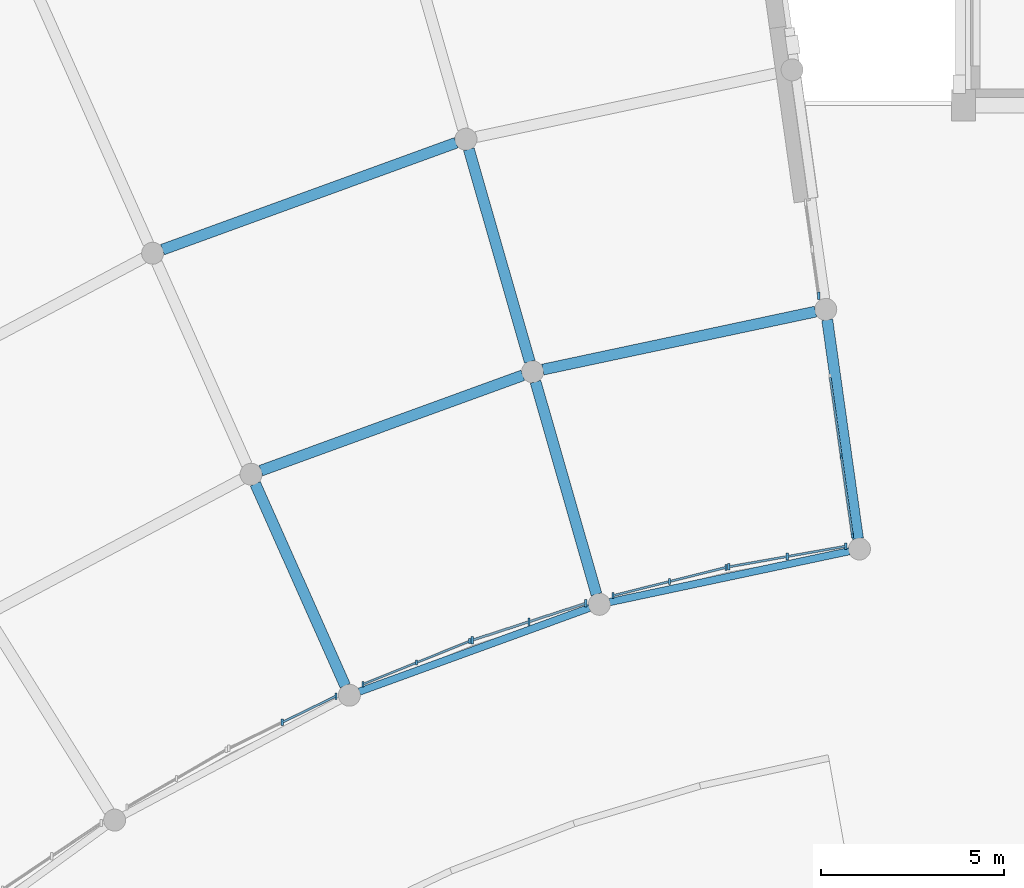
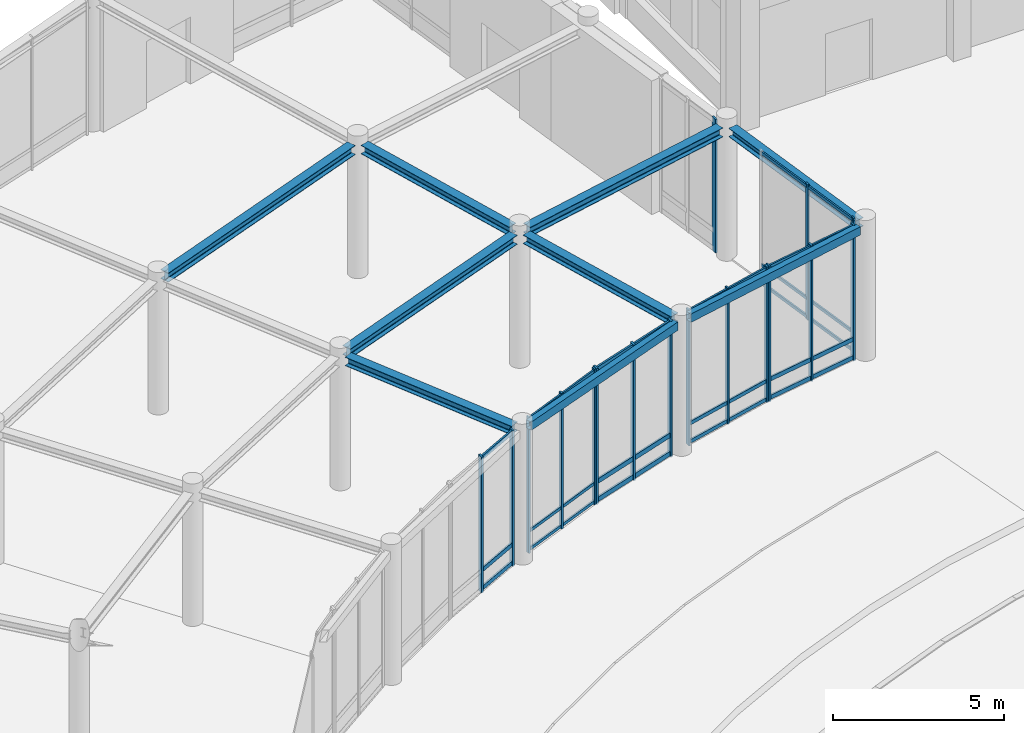
# One storey, part 33 of 64: 50 members, 9 beams, 7 elements without a shape of their own.
"""IFC4 building model written with IfcOpenShell, lengths in metres."""

from ifc_helpers import new_model, si_unit, direction, frame, origin, origin_2d, place, context, subcontext, project, spatial, rectangle, hollow_rectangle, i_section, extrude, material, material_profile, profile_set, type_object, element, aggregate, save


model = new_model("IFC4")

# Units and contexts
model_context = context("Model", 3, precision=1e-05, world=origin(), true_north=direction((0.0, 1.0)))
body_context = subcontext(model_context, "Body", "Model", "MODEL_VIEW")
ifc_project = project(units=[si_unit("LENGTHUNIT", "METRE"), si_unit("AREAUNIT", "SQUARE_METRE"), si_unit("VOLUMEUNIT", "CUBIC_METRE"), si_unit("PLANEANGLEUNIT", "RADIAN"), si_unit("MASSUNIT", "GRAM", prefix="KILO")], contexts=[model_context])

# Site, building, storey
site_placement = place(None, origin())
site = spatial("IfcSite", under=ifc_project, at=site_placement, CompositionType="ELEMENT")
building_placement = place(site_placement, origin())
building = spatial("IfcBuilding", under=site, at=building_placement, Name="Clarverna Civic Hall", CompositionType="ELEMENT")
storey_placement = place(building_placement, origin())
storey = spatial("IfcBuildingStorey", under=building, at=storey_placement, Name="L00", CompositionType="ELEMENT", Elevation=0.0)

# Beams
ifc_material_1 = material(Name="Steel S355", Category="steel")
ifc_material_profile_1 = material_profile(ifc_material_1, hollow_rectangle(XDim=0.199951171875, YDim=0.300048828125, WallThickness=0.010009765625, at=origin_2d()), Name="RHS 300x200x10.0")
ifc_profile_set_1 = profile_set([ifc_material_profile_1], Name="Steel S355")
beam_type_1 = type_object("IfcBeamType", Name="B-ST15", PredefinedType="SPANDREL", material=ifc_profile_set_1)
beam_1_placement = place(storey_placement, frame((144.484130859375, 59.4345703125, 4.7099609375), z_axis=(-0.978151145736, -0.207895012193, 0.0), x_axis=(0.207895012193, -0.978151145736, 0.0)))
element("IfcBeam", 1, at=beam_1_placement, inside=storey, type_object=beam_type_1, Name="B-ST15-001", PredefinedType="SPANDREL", context=body_context, shape_type="SweptSolid", body=[
    extrude(hollow_rectangle(XDim=0.199951171875, YDim=0.300048828125, WallThickness=0.010009765625, at=origin_2d()), origin(), (0.0, 0.0, 1.0), 6.684326171875),
])
beam_2_placement = place(storey_placement, frame((137.399169921875, 57.88818359375, 4.7099609375), z_axis=(-0.939692082349, -0.342021622666, 0.0), x_axis=(0.342021622666, -0.939692082349, 0.0)))
element("IfcBeam", 2, at=beam_2_placement, inside=storey, type_object=beam_type_1, Name="B-ST15-002", PredefinedType="SPANDREL", context=body_context, shape_type="SweptSolid", body=[
    extrude(hollow_rectangle(XDim=0.199951171875, YDim=0.300048828125, WallThickness=0.010009765625, at=origin_2d()), origin(), (0.0, 0.0, 1.0), 6.684814453125),
])
ifc_material_profile_2 = material_profile(ifc_material_1, i_section(OverallWidth=0.300048828125, OverallDepth=0.330078125, WebThickness=0.009521484375, FlangeThickness=0.0166015625, FilletRadius=0.027099609375, at=origin_2d()), Name="HEA 340")
ifc_profile_set_2 = profile_set([ifc_material_profile_2], Name="Steel S355")
beam_type_2 = type_object("IfcBeamType", Name="B-ST8", PredefinedType="BEAM", material=ifc_profile_set_2)
for number, where, z_axis, x_axis, name in (
    (3, (143.565673828125, 65.970458984375, 4.614990234375), (-0.978146366806, -0.207917495908, 0.0), (0.207917495908, -0.978146366806, 0.0), "B-ST8-029"),
    (4, (135.579833984375, 64.232421875, 4.614990234375), (-0.939697786127, -0.342005951334, 0.0), (0.342005951334, -0.939697786127, 0.0), "B-ST8-030"),
):
    element("IfcBeam", number, at=place(storey_placement, frame(where, z_axis=z_axis, x_axis=x_axis)), inside=storey, type_object=beam_type_2, Name=name, PredefinedType="BEAM", context=body_context, shape_type="SweptSolid", body=[
        extrude(i_section(OverallWidth=0.300048828125, OverallDepth=0.330078125, WebThickness=0.009521484375, FlangeThickness=0.0166015625, FilletRadius=0.027099609375, at=origin_2d()), origin(), (0.0, 0.0, 1.0), 7.60546875),
    ])
beam_3_placement = place(storey_placement, frame((133.760498046875, 70.576904296875, 4.614990234375), z_axis=(-0.939687201832, -0.342035031413, 0.0), x_axis=(0.342035031413, -0.939687201832, 0.0)))
element("IfcBeam", 5, at=beam_3_placement, inside=storey, type_object=beam_type_2, Name="B-ST8-039", PredefinedType="BEAM", context=body_context, shape_type="SweptSolid", body=[
    extrude(i_section(OverallWidth=0.300048828125, OverallDepth=0.330078125, WebThickness=0.009521484375, FlangeThickness=0.0166015625, FilletRadius=0.027099609375, at=origin_2d()), origin(), (0.0, 0.0, 1.0), 8.526123046875),
])
ifc_material_profile_3 = material_profile(ifc_material_1, i_section(OverallWidth=0.300048828125, OverallDepth=0.31005859375, WebThickness=0.009033203125, FlangeThickness=0.015380859375, FilletRadius=0.027099609375, at=origin_2d()), Name="HEA 320")
ifc_profile_set_3 = profile_set([ifc_material_profile_3], Name="Steel S355")
beam_type_3 = type_object("IfcBeamType", Name="B-ST9", PredefinedType="BEAM", material=ifc_profile_set_3)
for number, where, z_axis, x_axis, name in (
    (6, (144.723388671875, 59.776123046875, 4.625), (-0.139153715024, 0.990270793064, 0.0), (-0.990270793064, -0.139153715024, 0.0), "B-ST9-022"),
    (7, (137.58837890625, 58.259521484375, 4.625), (-0.275640762198, 0.961260719168, 0.0), (-0.961260719168, -0.275640762198, 0.0), "B-ST9-025"),
    (8, (135.76904296875, 64.60400390625, 4.625), (-0.275640762198, 0.961260719168, 0.0), (-0.961260719168, -0.275640762198, 0.0), "B-ST9-026"),
    (9, (130.73388671875, 55.764892578125, 4.625), (-0.406780744016, 0.913525821363, 0.0), (-0.913525821363, -0.406780744016, 0.0), "B-ST9-028"),
):
    element("IfcBeam", number, at=place(storey_placement, frame(where, z_axis=z_axis, x_axis=x_axis)), inside=storey, type_object=beam_type_3, Name=name, PredefinedType="BEAM", context=body_context, shape_type="SweptSolid", body=[
        extrude(i_section(OverallWidth=0.300048828125, OverallDepth=0.31005859375, WebThickness=0.009033203125, FlangeThickness=0.015380859375, FilletRadius=0.027099609375, at=origin_2d()), origin(), (0.0, 0.0, 1.0), 6.030029296875),
    ])

# Curtain wall, members
ifc_material_2 = material(Name="Anodised Bronze Architectural Aluminium", Category="aluminium")
curtain_wall_type = type_object("IfcCurtainWallType", Name="CW-03", PredefinedType="USERDEFINED", material=ifc_material_2)
curtain_wall_1_placement = place(storey_placement, origin())
curtain_wall_1 = element("IfcCurtainWall", 10, at=curtain_wall_1_placement, inside=storey, type_object=curtain_wall_type, Name="CW-03-008", ObjectType="UNITISED CURTAIN WALL", PredefinedType="USERDEFINED")
ifc_material_profile_4 = material_profile(ifc_material_2, rectangle(XDim=0.06005859375, YDim=0.179931640625, at=origin_2d()), Name="BRONZE 60x180")
ifc_profile_set_4 = profile_set([ifc_material_profile_4], Name="Anodised Bronze Architectural Aluminium")
member_type_1 = type_object("IfcMemberType", Name="CWM-01", PredefinedType="MULLION", material=ifc_profile_set_4)
member_1_placement = place(storey_placement, frame((144.390380859375, 59.5703125, 0.0), z_axis=(0.0, 0.0, 1.0), x_axis=(1.0, 0.0, 0.0)))
member_1 = element("IfcMember", 11, at=member_1_placement, type_object=member_type_1, Name="CWM-01-007", PredefinedType="MULLION", context=body_context, shape_type="SweptSolid", body=[
    extrude(rectangle(XDim=0.06005859375, YDim=0.179931640625, at=origin_2d()), origin(), (0.0, 0.0, 1.0), 4.860107421875),
])
member_2_placement = place(storey_placement, frame((142.793701171875, 59.288818359375, 0.0), z_axis=(0.0, 0.0, 1.0), x_axis=(1.0, 0.0, 0.0)))
member_2 = element("IfcMember", 12, at=member_2_placement, type_object=member_type_1, Name="CWM-01-008", PredefinedType="MULLION", context=body_context, shape_type="SweptSolid", body=[
    extrude(rectangle(XDim=0.06005859375, YDim=0.179931640625, at=origin_2d()), origin(), (0.0, 0.0, 1.0), 4.860107421875),
])
member_3_placement = place(storey_placement, frame((141.19677734375, 59.00732421875, 0.0), z_axis=(0.0, 0.0, 1.0), x_axis=(1.0, 0.0, 0.0)))
member_3 = element("IfcMember", 13, at=member_3_placement, type_object=member_type_1, Name="CWM-01-009", PredefinedType="MULLION", context=body_context, shape_type="SweptSolid", body=[
    extrude(rectangle(XDim=0.06005859375, YDim=0.179931640625, at=origin_2d()), origin(), (0.0, 0.0, 1.0), 4.860107421875),
])

curtain_wall_2_placement = place(storey_placement, origin())
curtain_wall_2 = element("IfcCurtainWall", 14, at=curtain_wall_2_placement, inside=storey, type_object=curtain_wall_type, Name="CW-03-012", ObjectType="UNITISED CURTAIN WALL", PredefinedType="USERDEFINED")
member_4_placement = place(storey_placement, frame((130.47998046875, 55.479736328125, 0.0), z_axis=(0.0, 0.0, 1.0), x_axis=(1.0, 0.0, 0.0)))
member_4 = element("IfcMember", 15, at=member_4_placement, type_object=member_type_1, Name="CWM-01-010", PredefinedType="MULLION", context=body_context, shape_type="SweptSolid", body=[
    extrude(rectangle(XDim=0.06005859375, YDim=0.179931640625, at=origin_2d()), origin(), (0.0, 0.0, 1.0), 4.860107421875),
])
member_5_placement = place(storey_placement, frame((129.017822265625, 54.7666015625, 0.0), z_axis=(0.0, 0.0, 1.0), x_axis=(1.0, 0.0, 0.0)))
member_5 = element("IfcMember", 16, at=member_5_placement, type_object=member_type_1, Name="CWM-01-011", PredefinedType="MULLION", context=body_context, shape_type="SweptSolid", body=[
    extrude(rectangle(XDim=0.06005859375, YDim=0.179931640625, at=origin_2d()), origin(), (0.0, 0.0, 1.0), 4.860107421875),
])

curtain_wall_3_placement = place(storey_placement, origin())
curtain_wall_3 = element("IfcCurtainWall", 17, at=curtain_wall_3_placement, inside=storey, type_object=curtain_wall_type, Name="CW-03-009", ObjectType="UNITISED CURTAIN WALL", PredefinedType="USERDEFINED")
ifc_material_profile_5 = material_profile(ifc_material_2, rectangle(XDim=0.06005859375, YDim=0.159912109375, at=origin_2d()), Name="BRONZE 60x160")
ifc_profile_set_5 = profile_set([ifc_material_profile_5], Name="Anodised Bronze Architectural Aluminium")
member_type_2 = type_object("IfcMemberType", Name="CWM-02", PredefinedType="MULLION", material=ifc_profile_set_5)
member_6_placement = place(storey_placement, frame((141.122802734375, 58.991455078125, 0.0), z_axis=(0.0, 0.0, 1.0), x_axis=(1.0, 0.0, 0.0)))
member_6 = element("IfcMember", 18, at=member_6_placement, type_object=member_type_2, Name="CWM-02-007", PredefinedType="MULLION", context=body_context, shape_type="SweptSolid", body=[
    extrude(rectangle(XDim=0.06005859375, YDim=0.159912109375, at=origin_2d()), origin(), (0.0, 0.0, 1.0), 4.860107421875),
])
member_7_placement = place(storey_placement, frame((139.580810546875, 58.607177734375, 0.0), z_axis=(0.0, 0.0, 1.0), x_axis=(1.0, 0.0, 0.0)))
member_7 = element("IfcMember", 19, at=member_7_placement, type_object=member_type_2, Name="CWM-02-008", PredefinedType="MULLION", context=body_context, shape_type="SweptSolid", body=[
    extrude(rectangle(XDim=0.06005859375, YDim=0.159912109375, at=origin_2d()), origin(), (0.0, 0.0, 1.0), 4.860107421875),
])
member_8_placement = place(storey_placement, frame((138.038818359375, 58.22265625, 0.0), z_axis=(0.0, 0.0, 1.0), x_axis=(1.0, 0.0, 0.0)))
member_8 = element("IfcMember", 20, at=member_8_placement, type_object=member_type_2, Name="CWM-02-009", PredefinedType="MULLION", context=body_context, shape_type="SweptSolid", body=[
    extrude(rectangle(XDim=0.06005859375, YDim=0.159912109375, at=origin_2d()), origin(), (0.0, 0.0, 1.0), 4.860107421875),
])

# Curtain wall, member
curtain_wall_4_placement = place(storey_placement, origin())
curtain_wall_4 = element("IfcCurtainWall", 21, at=curtain_wall_4_placement, inside=storey, type_object=curtain_wall_type, Name="CW-03-006", ObjectType="UNITISED CURTAIN WALL", PredefinedType="USERDEFINED")
ifc_material_profile_6 = material_profile(ifc_material_2, rectangle(XDim=0.06494140625, YDim=0.199951171875, at=origin_2d()), Name="BRONZE 65x200")
ifc_profile_set_6 = profile_set([ifc_material_profile_6], Name="Anodised Bronze Architectural Aluminium")
member_type_3 = type_object("IfcMemberType", Name="CWM-03", PredefinedType="MULLION", material=ifc_profile_set_6)
member_9_placement = place(storey_placement, frame((143.650634765625, 66.40234375, 0.0), z_axis=(0.0, 0.0, 1.0), x_axis=(1.0, 0.0, 0.0)))
member_9 = element("IfcMember", 22, at=member_9_placement, type_object=member_type_3, Name="CWM-03-006", PredefinedType="MULLION", context=body_context, shape_type="SweptSolid", body=[
    extrude(rectangle(XDim=0.06494140625, YDim=0.199951171875, at=origin_2d()), origin(), (0.0, 0.0, 1.0), 4.780029296875),
])
aggregate(curtain_wall_4, [member_9])

# Curtain wall, members
curtain_wall_5_placement = place(storey_placement, origin())
curtain_wall_5 = element("IfcCurtainWall", 23, at=curtain_wall_5_placement, inside=storey, type_object=curtain_wall_type, Name="CW-03-010", ObjectType="UNITISED CURTAIN WALL", PredefinedType="USERDEFINED")
member_10_placement = place(storey_placement, frame((137.29541015625, 58.01220703125, 0.0), z_axis=(0.0, 0.0, 1.0), x_axis=(1.0, 0.0, 0.0)))
member_10 = element("IfcMember", 24, at=member_10_placement, type_object=member_type_3, Name="CWM-03-007", PredefinedType="MULLION", context=body_context, shape_type="SweptSolid", body=[
    extrude(rectangle(XDim=0.06494140625, YDim=0.199951171875, at=origin_2d()), origin(), (0.0, 0.0, 1.0), 4.860107421875),
])
member_11_placement = place(storey_placement, frame((135.749267578125, 57.509765625, 0.0), z_axis=(0.0, 0.0, 1.0), x_axis=(1.0, 0.0, 0.0)))
member_11 = element("IfcMember", 25, at=member_11_placement, type_object=member_type_3, Name="CWM-03-008", PredefinedType="MULLION", context=body_context, shape_type="SweptSolid", body=[
    extrude(rectangle(XDim=0.06494140625, YDim=0.199951171875, at=origin_2d()), origin(), (0.0, 0.0, 1.0), 4.860107421875),
])
member_12_placement = place(storey_placement, frame((134.203125, 57.00732421875, 0.0), z_axis=(0.0, 0.0, 1.0), x_axis=(1.0, 0.0, 0.0)))
member_12 = element("IfcMember", 26, at=member_12_placement, type_object=member_type_3, Name="CWM-03-009", PredefinedType="MULLION", context=body_context, shape_type="SweptSolid", body=[
    extrude(rectangle(XDim=0.06494140625, YDim=0.199951171875, at=origin_2d()), origin(), (0.0, 0.0, 1.0), 4.860107421875),
])

curtain_wall_6_placement = place(storey_placement, origin())
curtain_wall_6 = element("IfcCurtainWall", 27, at=curtain_wall_6_placement, inside=storey, type_object=curtain_wall_type, Name="CW-03-007", ObjectType="UNITISED CURTAIN WALL", PredefinedType="USERDEFINED")
ifc_material_profile_7 = material_profile(ifc_material_2, rectangle(XDim=0.054931640625, YDim=0.139892578125, at=origin_2d()), Name="BRONZE 55x140")
ifc_profile_set_7 = profile_set([ifc_material_profile_7], Name="Anodised Bronze Architectural Aluminium")
member_type_4 = type_object("IfcMemberType", Name="CWM-04", PredefinedType="MULLION", material=ifc_profile_set_7)
member_13_placement = place(storey_placement, frame((144.26513671875, 62.03076171875, 0.0), z_axis=(0.0, 0.0, 1.0), x_axis=(1.0, 0.0, 0.0)))
member_13 = element("IfcMember", 28, at=member_13_placement, type_object=member_type_4, Name="CWM-04-005", PredefinedType="MULLION", context=body_context, shape_type="SweptSolid", body=[
    extrude(rectangle(XDim=0.054931640625, YDim=0.139892578125, at=origin_2d()), origin(), (0.0, 0.0, 1.0), 4.860107421875),
])
member_14_placement = place(storey_placement, frame((144.5693359375, 59.86669921875, 0.0), z_axis=(0.0, 0.0, 1.0), x_axis=(1.0, 0.0, 0.0)))
member_14 = element("IfcMember", 29, at=member_14_placement, type_object=member_type_4, Name="CWM-04-006", PredefinedType="MULLION", context=body_context, shape_type="SweptSolid", body=[
    extrude(rectangle(XDim=0.054931640625, YDim=0.139892578125, at=origin_2d()), origin(), (0.0, 0.0, 1.0), 4.860107421875),
])

curtain_wall_7_placement = place(storey_placement, origin())
curtain_wall_7 = element("IfcCurtainWall", 30, at=curtain_wall_7_placement, inside=storey, type_object=curtain_wall_type, Name="CW-03-011", ObjectType="UNITISED CURTAIN WALL", PredefinedType="USERDEFINED")
member_15_placement = place(storey_placement, frame((134.132080078125, 56.9814453125, 0.0), z_axis=(0.0, 0.0, 1.0), x_axis=(1.0, 0.0, 0.0)))
member_15 = element("IfcMember", 31, at=member_15_placement, type_object=member_type_4, Name="CWM-04-007", PredefinedType="MULLION", context=body_context, shape_type="SweptSolid", body=[
    extrude(rectangle(XDim=0.054931640625, YDim=0.139892578125, at=origin_2d()), origin(), (0.0, 0.0, 1.0), 4.860107421875),
])
member_16_placement = place(storey_placement, frame((132.67626953125, 56.393310546875, 0.0), z_axis=(0.0, 0.0, 1.0), x_axis=(1.0, 0.0, 0.0)))
member_16 = element("IfcMember", 32, at=member_16_placement, type_object=member_type_4, Name="CWM-04-008", PredefinedType="MULLION", context=body_context, shape_type="SweptSolid", body=[
    extrude(rectangle(XDim=0.054931640625, YDim=0.139892578125, at=origin_2d()), origin(), (0.0, 0.0, 1.0), 4.860107421875),
])
member_17_placement = place(storey_placement, frame((131.22021484375, 55.80517578125, 0.0), z_axis=(0.0, 0.0, 1.0), x_axis=(1.0, 0.0, 0.0)))
member_17 = element("IfcMember", 33, at=member_17_placement, type_object=member_type_4, Name="CWM-04-009", PredefinedType="MULLION", context=body_context, shape_type="SweptSolid", body=[
    extrude(rectangle(XDim=0.054931640625, YDim=0.139892578125, at=origin_2d()), origin(), (0.0, 0.0, 1.0), 4.860107421875),
])

# Member
ifc_material_profile_8 = material_profile(ifc_material_2, rectangle(XDim=0.06005859375, YDim=0.14990234375, at=origin_2d()), Name="BRONZE 60x150")
ifc_profile_set_8 = profile_set([ifc_material_profile_8], Name="Anodised Bronze Architectural Aluminium")
member_type_5 = type_object("IfcMemberType", Name="CWT-01", PredefinedType="USERDEFINED", material=ifc_profile_set_8)
member_18_placement = place(storey_placement, frame((144.375732421875, 59.56787109375, 0.094970703125), z_axis=(-0.984808257094, -0.173645318852, 0.0), x_axis=(0.173645318852, -0.984808257094, 0.0)))
member_18 = element("IfcMember", 34, at=member_18_placement, type_object=member_type_5, Name="CWT-01-013", ObjectType="TRANSOM", PredefinedType="USERDEFINED", context=body_context, shape_type="SweptSolid", body=[
    extrude(rectangle(XDim=0.06005859375, YDim=0.14990234375, at=origin_2d()), origin(), (0.0, 0.0, 1.0), 1.591552734375),
])

member_19_placement = place(storey_placement, frame((144.375732421875, 59.56787109375, 0.75), z_axis=(-0.984808257094, -0.173645318852, 0.0), x_axis=(0.173645318852, -0.984808257094, 0.0)))
member_19 = element("IfcMember", 35, at=member_19_placement, type_object=member_type_5, Name="CWT-01-014", ObjectType="TRANSOM", PredefinedType="USERDEFINED", context=body_context, shape_type="SweptSolid", body=[
    extrude(rectangle(XDim=0.06005859375, YDim=0.14990234375, at=origin_2d()), origin(), (0.0, 0.0, 1.0), 1.591552734375),
])

member_20_placement = place(storey_placement, frame((144.375732421875, 59.56787109375, 4.764892578125), z_axis=(-0.984808257094, -0.173645318852, 0.0), x_axis=(0.173645318852, -0.984808257094, 0.0)))
member_20 = element("IfcMember", 36, at=member_20_placement, type_object=member_type_5, Name="CWT-01-015", ObjectType="TRANSOM", PredefinedType="USERDEFINED", context=body_context, shape_type="SweptSolid", body=[
    extrude(rectangle(XDim=0.06005859375, YDim=0.14990234375, at=origin_2d()), origin(), (0.0, 0.0, 1.0), 1.591552734375),
])

member_21_placement = place(storey_placement, frame((142.77880859375, 59.2861328125, 0.094970703125), z_axis=(-0.984829859977, -0.173522756136, 0.0), x_axis=(0.173522756136, -0.984829859977, 0.0)))
member_21 = element("IfcMember", 37, at=member_21_placement, type_object=member_type_5, Name="CWT-01-016", ObjectType="TRANSOM", PredefinedType="USERDEFINED", context=body_context, shape_type="SweptSolid", body=[
    extrude(rectangle(XDim=0.06005859375, YDim=0.14990234375, at=origin_2d()), origin(), (0.0, 0.0, 1.0), 1.59130859375),
])

member_22_placement = place(storey_placement, frame((142.77880859375, 59.2861328125, 0.75), z_axis=(-0.984829859977, -0.173522756136, 0.0), x_axis=(0.173522756136, -0.984829859977, 0.0)))
member_22 = element("IfcMember", 38, at=member_22_placement, type_object=member_type_5, Name="CWT-01-017", ObjectType="TRANSOM", PredefinedType="USERDEFINED", context=body_context, shape_type="SweptSolid", body=[
    extrude(rectangle(XDim=0.06005859375, YDim=0.14990234375, at=origin_2d()), origin(), (0.0, 0.0, 1.0), 1.59130859375),
])

member_23_placement = place(storey_placement, frame((142.77880859375, 59.2861328125, 4.764892578125), z_axis=(-0.984829859977, -0.173522756136, 0.0), x_axis=(0.173522756136, -0.984829859977, 0.0)))
member_23 = element("IfcMember", 39, at=member_23_placement, type_object=member_type_5, Name="CWT-01-018", ObjectType="TRANSOM", PredefinedType="USERDEFINED", context=body_context, shape_type="SweptSolid", body=[
    extrude(rectangle(XDim=0.06005859375, YDim=0.14990234375, at=origin_2d()), origin(), (0.0, 0.0, 1.0), 1.59130859375),
])

aggregate(curtain_wall_1, [member_1, member_2, member_3, member_18, member_19, member_20, member_21, member_22, member_23])

member_24_placement = place(storey_placement, frame((130.466552734375, 55.47314453125, 0.094970703125), z_axis=(-0.898787548985, -0.438384468006, 0.0), x_axis=(0.438384468006, -0.898787548985, 0.0)))
member_24 = element("IfcMember", 40, at=member_24_placement, type_object=member_type_5, Name="CWT-01-019", ObjectType="TRANSOM", PredefinedType="USERDEFINED", context=body_context, shape_type="SweptSolid", body=[
    extrude(rectangle(XDim=0.06005859375, YDim=0.14990234375, at=origin_2d()), origin(), (0.0, 0.0, 1.0), 1.5966796875),
])

member_25_placement = place(storey_placement, frame((130.466552734375, 55.47314453125, 0.75), z_axis=(-0.898787548985, -0.438384468006, 0.0), x_axis=(0.438384468006, -0.898787548985, 0.0)))
member_25 = element("IfcMember", 41, at=member_25_placement, type_object=member_type_5, Name="CWT-01-020", ObjectType="TRANSOM", PredefinedType="USERDEFINED", context=body_context, shape_type="SweptSolid", body=[
    extrude(rectangle(XDim=0.06005859375, YDim=0.14990234375, at=origin_2d()), origin(), (0.0, 0.0, 1.0), 1.5966796875),
])

member_26_placement = place(storey_placement, frame((130.466552734375, 55.47314453125, 4.764892578125), z_axis=(-0.898787548985, -0.438384468006, 0.0), x_axis=(0.438384468006, -0.898787548985, 0.0)))
member_26 = element("IfcMember", 42, at=member_26_placement, type_object=member_type_5, Name="CWT-01-021", ObjectType="TRANSOM", PredefinedType="USERDEFINED", context=body_context, shape_type="SweptSolid", body=[
    extrude(rectangle(XDim=0.06005859375, YDim=0.14990234375, at=origin_2d()), origin(), (0.0, 0.0, 1.0), 1.5966796875),
])

aggregate(curtain_wall_2, [member_4, member_5, member_24, member_25, member_26])

ifc_material_profile_9 = material_profile(ifc_material_2, rectangle(XDim=0.06005859375, YDim=0.1298828125, at=origin_2d()), Name="BRONZE 60x130")
ifc_profile_set_9 = profile_set([ifc_material_profile_9], Name="Anodised Bronze Architectural Aluminium")
member_type_6 = type_object("IfcMemberType", Name="CWT-02", PredefinedType="USERDEFINED", material=ifc_profile_set_9)
member_27_placement = place(storey_placement, frame((141.108154296875, 58.98779296875, 0.094970703125), z_axis=(-0.970289708656, -0.241946029676, 0.0), x_axis=(0.241946029676, -0.970289708656, 0.0)))
member_27 = element("IfcMember", 43, at=member_27_placement, type_object=member_type_6, Name="CWT-02-013", ObjectType="TRANSOM", PredefinedType="USERDEFINED", context=body_context, shape_type="SweptSolid", body=[
    extrude(rectangle(XDim=0.06005859375, YDim=0.1298828125, at=origin_2d()), origin(), (0.0, 0.0, 1.0), 1.55908203125),
])

member_28_placement = place(storey_placement, frame((141.108154296875, 58.98779296875, 0.75), z_axis=(-0.970289708656, -0.241946029676, 0.0), x_axis=(0.241946029676, -0.970289708656, 0.0)))
member_28 = element("IfcMember", 44, at=member_28_placement, type_object=member_type_6, Name="CWT-02-014", ObjectType="TRANSOM", PredefinedType="USERDEFINED", context=body_context, shape_type="SweptSolid", body=[
    extrude(rectangle(XDim=0.06005859375, YDim=0.1298828125, at=origin_2d()), origin(), (0.0, 0.0, 1.0), 1.55908203125),
])

member_29_placement = place(storey_placement, frame((141.108154296875, 58.98779296875, 4.764892578125), z_axis=(-0.970289708656, -0.241946029676, 0.0), x_axis=(0.241946029676, -0.970289708656, 0.0)))
member_29 = element("IfcMember", 45, at=member_29_placement, type_object=member_type_6, Name="CWT-02-015", ObjectType="TRANSOM", PredefinedType="USERDEFINED", context=body_context, shape_type="SweptSolid", body=[
    extrude(rectangle(XDim=0.06005859375, YDim=0.1298828125, at=origin_2d()), origin(), (0.0, 0.0, 1.0), 1.55908203125),
])

member_30_placement = place(storey_placement, frame((139.566162109375, 58.603515625, 0.094970703125), z_axis=(-0.970289708656, -0.241946029676, 0.0), x_axis=(0.241946029676, -0.970289708656, 0.0)))
member_30 = element("IfcMember", 46, at=member_30_placement, type_object=member_type_6, Name="CWT-02-016", ObjectType="TRANSOM", PredefinedType="USERDEFINED", context=body_context, shape_type="SweptSolid", body=[
    extrude(rectangle(XDim=0.06005859375, YDim=0.1298828125, at=origin_2d()), origin(), (0.0, 0.0, 1.0), 1.55908203125),
])

member_31_placement = place(storey_placement, frame((139.566162109375, 58.603515625, 0.75), z_axis=(-0.970289708656, -0.241946029676, 0.0), x_axis=(0.241946029676, -0.970289708656, 0.0)))
member_31 = element("IfcMember", 47, at=member_31_placement, type_object=member_type_6, Name="CWT-02-017", ObjectType="TRANSOM", PredefinedType="USERDEFINED", context=body_context, shape_type="SweptSolid", body=[
    extrude(rectangle(XDim=0.06005859375, YDim=0.1298828125, at=origin_2d()), origin(), (0.0, 0.0, 1.0), 1.55908203125),
])

member_32_placement = place(storey_placement, frame((139.566162109375, 58.603515625, 4.764892578125), z_axis=(-0.970289708656, -0.241946029676, 0.0), x_axis=(0.241946029676, -0.970289708656, 0.0)))
member_32 = element("IfcMember", 48, at=member_32_placement, type_object=member_type_6, Name="CWT-02-018", ObjectType="TRANSOM", PredefinedType="USERDEFINED", context=body_context, shape_type="SweptSolid", body=[
    extrude(rectangle(XDim=0.06005859375, YDim=0.1298828125, at=origin_2d()), origin(), (0.0, 0.0, 1.0), 1.55908203125),
])

aggregate(curtain_wall_3, [member_6, member_7, member_8, member_27, member_28, member_29, member_30, member_31, member_32])

ifc_material_profile_10 = material_profile(ifc_material_2, rectangle(XDim=0.06494140625, YDim=0.169921875, at=origin_2d()), Name="BRONZE 65x170")
ifc_profile_set_10 = profile_set([ifc_material_profile_10], Name="Anodised Bronze Architectural Aluminium")
member_type_7 = type_object("IfcMemberType", Name="CWT-03", PredefinedType="USERDEFINED", material=ifc_profile_set_10)
member_33_placement = place(storey_placement, frame((137.28125, 58.007568359375, 0.094970703125), z_axis=(-0.951043063194, -0.309058395697, 0.0), x_axis=(0.309058395697, -0.951043063194, 0.0)))
member_33 = element("IfcMember", 49, at=member_33_placement, type_object=member_type_7, Name="CWT-03-013", ObjectType="TRANSOM", PredefinedType="USERDEFINED", context=body_context, shape_type="SweptSolid", body=[
    extrude(rectangle(XDim=0.06494140625, YDim=0.169921875, at=origin_2d()), origin(), (0.0, 0.0, 1.0), 1.595703125),
])

member_34_placement = place(storey_placement, frame((137.28125, 58.007568359375, 0.75), z_axis=(-0.951043063194, -0.309058395697, 0.0), x_axis=(0.309058395697, -0.951043063194, 0.0)))
member_34 = element("IfcMember", 50, at=member_34_placement, type_object=member_type_7, Name="CWT-03-014", ObjectType="TRANSOM", PredefinedType="USERDEFINED", context=body_context, shape_type="SweptSolid", body=[
    extrude(rectangle(XDim=0.06494140625, YDim=0.169921875, at=origin_2d()), origin(), (0.0, 0.0, 1.0), 1.595703125),
])

member_35_placement = place(storey_placement, frame((137.28125, 58.007568359375, 4.764892578125), z_axis=(-0.951043063194, -0.309058395697, 0.0), x_axis=(0.309058395697, -0.951043063194, 0.0)))
member_35 = element("IfcMember", 51, at=member_35_placement, type_object=member_type_7, Name="CWT-03-015", ObjectType="TRANSOM", PredefinedType="USERDEFINED", context=body_context, shape_type="SweptSolid", body=[
    extrude(rectangle(XDim=0.06494140625, YDim=0.169921875, at=origin_2d()), origin(), (0.0, 0.0, 1.0), 1.595703125),
])

member_36_placement = place(storey_placement, frame((135.735107421875, 57.505126953125, 0.094970703125), z_axis=(-0.951057674044, -0.309013431168, 0.0), x_axis=(0.309013431168, -0.951057674044, 0.0)))
member_36 = element("IfcMember", 52, at=member_36_placement, type_object=member_type_7, Name="CWT-03-016", ObjectType="TRANSOM", PredefinedType="USERDEFINED", context=body_context, shape_type="SweptSolid", body=[
    extrude(rectangle(XDim=0.06494140625, YDim=0.169921875, at=origin_2d()), origin(), (0.0, 0.0, 1.0), 1.595947265625),
])

member_37_placement = place(storey_placement, frame((135.735107421875, 57.505126953125, 0.75), z_axis=(-0.951057674044, -0.309013431168, 0.0), x_axis=(0.309013431168, -0.951057674044, 0.0)))
member_37 = element("IfcMember", 53, at=member_37_placement, type_object=member_type_7, Name="CWT-03-017", ObjectType="TRANSOM", PredefinedType="USERDEFINED", context=body_context, shape_type="SweptSolid", body=[
    extrude(rectangle(XDim=0.06494140625, YDim=0.169921875, at=origin_2d()), origin(), (0.0, 0.0, 1.0), 1.595947265625),
])

member_38_placement = place(storey_placement, frame((135.735107421875, 57.505126953125, 4.764892578125), z_axis=(-0.951057674044, -0.309013431168, 0.0), x_axis=(0.309013431168, -0.951057674044, 0.0)))
member_38 = element("IfcMember", 54, at=member_38_placement, type_object=member_type_7, Name="CWT-03-018", ObjectType="TRANSOM", PredefinedType="USERDEFINED", context=body_context, shape_type="SweptSolid", body=[
    extrude(rectangle(XDim=0.06494140625, YDim=0.169921875, at=origin_2d()), origin(), (0.0, 0.0, 1.0), 1.595947265625),
])

aggregate(curtain_wall_5, [member_10, member_11, member_12, member_33, member_34, member_35, member_36, member_37, member_38])

ifc_material_profile_11 = material_profile(ifc_material_2, rectangle(XDim=0.054931640625, YDim=0.110107421875, at=origin_2d()), Name="BRONZE 55x110")
ifc_profile_set_11 = profile_set([ifc_material_profile_11], Name="Anodised Bronze Architectural Aluminium")
member_type_8 = type_object("IfcMemberType", Name="CWT-04", PredefinedType="USERDEFINED", material=ifc_profile_set_11)
member_39_placement = place(storey_placement, frame((143.963134765625, 64.18017578125, 0.094970703125), z_axis=(0.139201032991, -0.990264142749, 0.0), x_axis=(0.990264142749, 0.139201032991, 0.0)))
member_39 = element("IfcMember", 55, at=member_39_placement, type_object=member_type_8, Name="CWT-04-007", ObjectType="TRANSOM", PredefinedType="USERDEFINED", context=body_context, shape_type="SweptSolid", body=[
    extrude(rectangle(XDim=0.054931640625, YDim=0.110107421875, at=origin_2d()), origin(), (0.0, 0.0, 1.0), 2.155517578125),
])

member_40_placement = place(storey_placement, frame((143.963134765625, 64.18017578125, 0.75), z_axis=(0.139201032991, -0.990264142749, 0.0), x_axis=(0.990264142749, 0.139201032991, 0.0)))
member_40 = element("IfcMember", 56, at=member_40_placement, type_object=member_type_8, Name="CWT-04-008", ObjectType="TRANSOM", PredefinedType="USERDEFINED", context=body_context, shape_type="SweptSolid", body=[
    extrude(rectangle(XDim=0.054931640625, YDim=0.110107421875, at=origin_2d()), origin(), (0.0, 0.0, 1.0), 2.155517578125),
])

member_41_placement = place(storey_placement, frame((143.963134765625, 64.18017578125, 4.764892578125), z_axis=(0.139201032991, -0.990264142749, 0.0), x_axis=(0.990264142749, 0.139201032991, 0.0)))
member_41 = element("IfcMember", 57, at=member_41_placement, type_object=member_type_8, Name="CWT-04-009", ObjectType="TRANSOM", PredefinedType="USERDEFINED", context=body_context, shape_type="SweptSolid", body=[
    extrude(rectangle(XDim=0.054931640625, YDim=0.110107421875, at=origin_2d()), origin(), (0.0, 0.0, 1.0), 2.155517578125),
])

member_42_placement = place(storey_placement, frame((144.26708984375, 62.015869140625, 0.094970703125), z_axis=(0.139216647643, -0.990261947678, 0.0), x_axis=(0.990261947678, 0.139216647643, 0.0)))
member_42 = element("IfcMember", 58, at=member_42_placement, type_object=member_type_8, Name="CWT-04-010", ObjectType="TRANSOM", PredefinedType="USERDEFINED", context=body_context, shape_type="SweptSolid", body=[
    extrude(rectangle(XDim=0.054931640625, YDim=0.110107421875, at=origin_2d()), origin(), (0.0, 0.0, 1.0), 2.1552734375),
])

member_43_placement = place(storey_placement, frame((144.26708984375, 62.015869140625, 0.75), z_axis=(0.139216647643, -0.990261947678, 0.0), x_axis=(0.990261947678, 0.139216647643, 0.0)))
member_43 = element("IfcMember", 59, at=member_43_placement, type_object=member_type_8, Name="CWT-04-011", ObjectType="TRANSOM", PredefinedType="USERDEFINED", context=body_context, shape_type="SweptSolid", body=[
    extrude(rectangle(XDim=0.054931640625, YDim=0.110107421875, at=origin_2d()), origin(), (0.0, 0.0, 1.0), 2.1552734375),
])

member_44_placement = place(storey_placement, frame((144.26708984375, 62.015869140625, 4.764892578125), z_axis=(0.139216647643, -0.990261947678, 0.0), x_axis=(0.990261947678, 0.139216647643, 0.0)))
member_44 = element("IfcMember", 60, at=member_44_placement, type_object=member_type_8, Name="CWT-04-012", ObjectType="TRANSOM", PredefinedType="USERDEFINED", context=body_context, shape_type="SweptSolid", body=[
    extrude(rectangle(XDim=0.054931640625, YDim=0.110107421875, at=origin_2d()), origin(), (0.0, 0.0, 1.0), 2.1552734375),
])

aggregate(curtain_wall_6, [member_13, member_14, member_39, member_40, member_41, member_42, member_43, member_44])

member_45_placement = place(storey_placement, frame((134.1181640625, 56.975830078125, 0.094970703125), z_axis=(-0.927192079897, -0.374586234364, 0.0), x_axis=(0.374586234364, -0.927192079897, 0.0)))
member_45 = element("IfcMember", 61, at=member_45_placement, type_object=member_type_8, Name="CWT-04-013", ObjectType="TRANSOM", PredefinedType="USERDEFINED", context=body_context, shape_type="SweptSolid", body=[
    extrude(rectangle(XDim=0.054931640625, YDim=0.110107421875, at=origin_2d()), origin(), (0.0, 0.0, 1.0), 1.5400390625),
])

member_46_placement = place(storey_placement, frame((134.1181640625, 56.975830078125, 0.75), z_axis=(-0.927192079897, -0.374586234364, 0.0), x_axis=(0.374586234364, -0.927192079897, 0.0)))
member_46 = element("IfcMember", 62, at=member_46_placement, type_object=member_type_8, Name="CWT-04-014", ObjectType="TRANSOM", PredefinedType="USERDEFINED", context=body_context, shape_type="SweptSolid", body=[
    extrude(rectangle(XDim=0.054931640625, YDim=0.110107421875, at=origin_2d()), origin(), (0.0, 0.0, 1.0), 1.5400390625),
])

member_47_placement = place(storey_placement, frame((134.1181640625, 56.975830078125, 4.764892578125), z_axis=(-0.927192079897, -0.374586234364, 0.0), x_axis=(0.374586234364, -0.927192079897, 0.0)))
member_47 = element("IfcMember", 63, at=member_47_placement, type_object=member_type_8, Name="CWT-04-015", ObjectType="TRANSOM", PredefinedType="USERDEFINED", context=body_context, shape_type="SweptSolid", body=[
    extrude(rectangle(XDim=0.054931640625, YDim=0.110107421875, at=origin_2d()), origin(), (0.0, 0.0, 1.0), 1.5400390625),
])

member_48_placement = place(storey_placement, frame((132.662109375, 56.3876953125, 0.094970703125), z_axis=(-0.927192079897, -0.374586234364, 0.0), x_axis=(0.374586234364, -0.927192079897, 0.0)))
member_48 = element("IfcMember", 64, at=member_48_placement, type_object=member_type_8, Name="CWT-04-016", ObjectType="TRANSOM", PredefinedType="USERDEFINED", context=body_context, shape_type="SweptSolid", body=[
    extrude(rectangle(XDim=0.054931640625, YDim=0.110107421875, at=origin_2d()), origin(), (0.0, 0.0, 1.0), 1.5400390625),
])

member_49_placement = place(storey_placement, frame((132.662109375, 56.3876953125, 0.75), z_axis=(-0.927192079897, -0.374586234364, 0.0), x_axis=(0.374586234364, -0.927192079897, 0.0)))
member_49 = element("IfcMember", 65, at=member_49_placement, type_object=member_type_8, Name="CWT-04-017", ObjectType="TRANSOM", PredefinedType="USERDEFINED", context=body_context, shape_type="SweptSolid", body=[
    extrude(rectangle(XDim=0.054931640625, YDim=0.110107421875, at=origin_2d()), origin(), (0.0, 0.0, 1.0), 1.5400390625),
])

member_50_placement = place(storey_placement, frame((132.662109375, 56.3876953125, 4.764892578125), z_axis=(-0.927192079897, -0.374586234364, 0.0), x_axis=(0.374586234364, -0.927192079897, 0.0)))
member_50 = element("IfcMember", 66, at=member_50_placement, type_object=member_type_8, Name="CWT-04-018", ObjectType="TRANSOM", PredefinedType="USERDEFINED", context=body_context, shape_type="SweptSolid", body=[
    extrude(rectangle(XDim=0.054931640625, YDim=0.110107421875, at=origin_2d()), origin(), (0.0, 0.0, 1.0), 1.5400390625),
])

aggregate(curtain_wall_7, [member_15, member_16, member_17, member_45, member_46, member_47, member_48, member_49, member_50])

save(model, "model.ifc")
